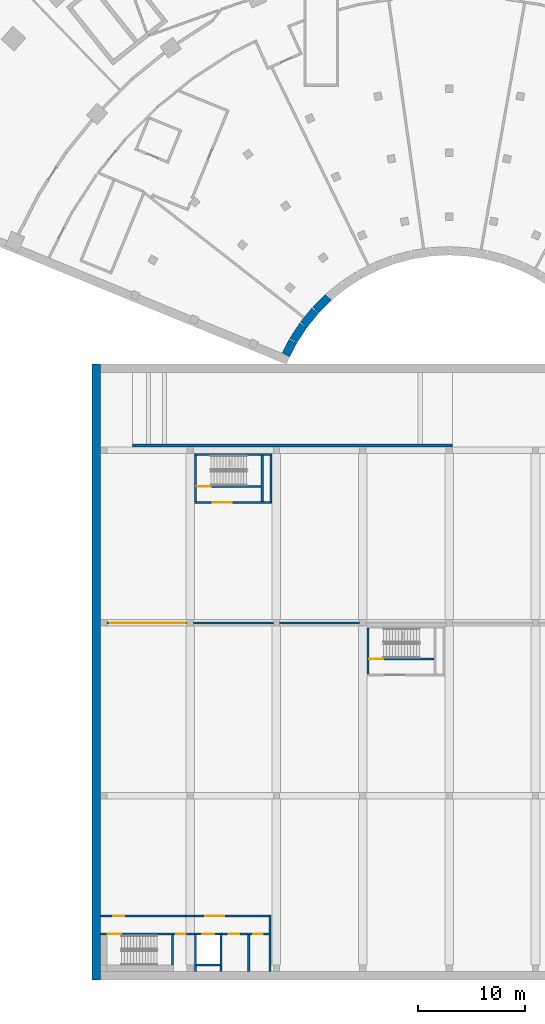
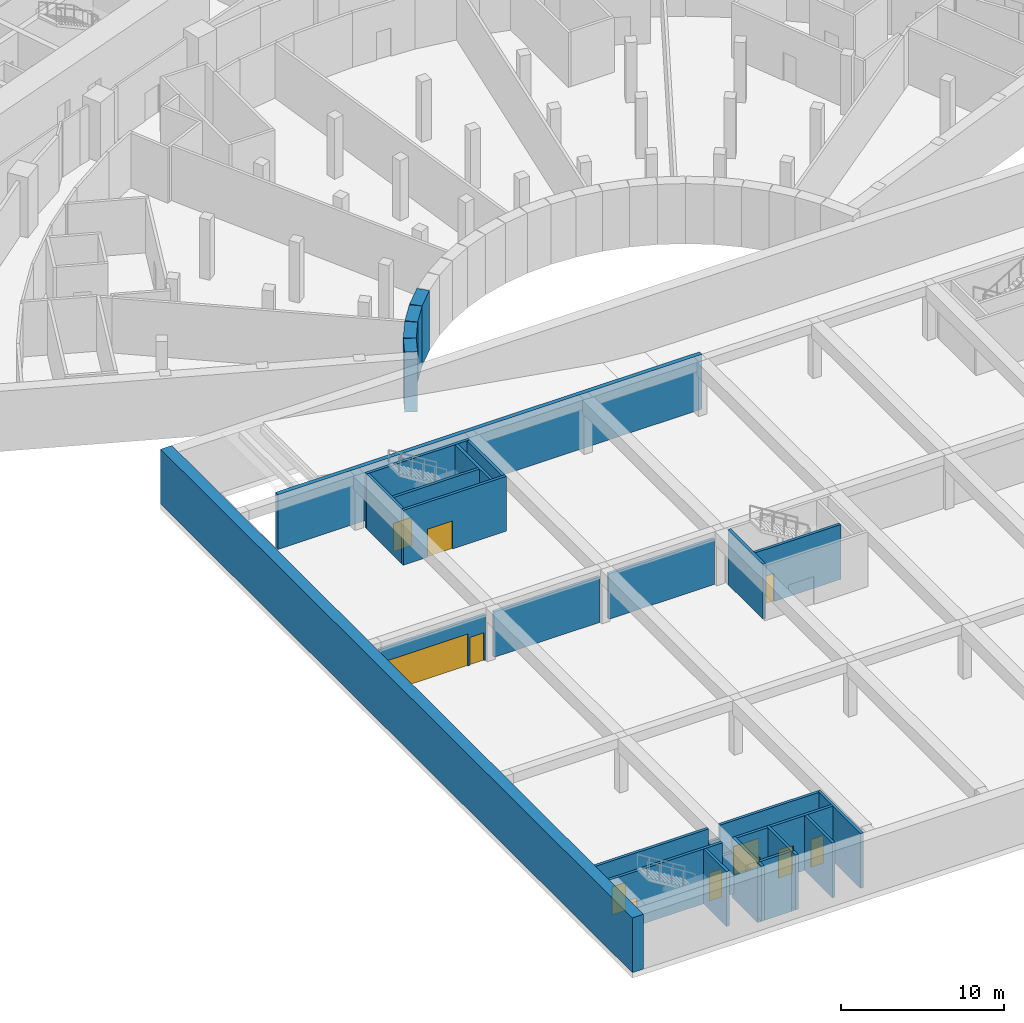
# One storey, part 3 of 21: 32 walls, 12 doors, 12 openings.
"""IFC4 building model written with IfcOpenShell, lengths in metres."""

from ifc_helpers import new_model, si_unit, direction, frame, frame_2d, origin, place, context, subcontext, project, spatial, rectangle, extrude, material, layer, layer_set, type_object, element, fill, save


model = new_model("IFC4")

# Units and contexts
model_context = context("Model", 3, precision=1e-05, world=origin(), true_north=direction((0.0, 1.0)))
body_context = subcontext(model_context, "Body", "Model", "MODEL_VIEW")
ifc_project = project(units=[si_unit("LENGTHUNIT", "METRE"), si_unit("AREAUNIT", "SQUARE_METRE"), si_unit("VOLUMEUNIT", "CUBIC_METRE"), si_unit("PLANEANGLEUNIT", "RADIAN"), si_unit("MASSUNIT", "GRAM", prefix="KILO")], contexts=[model_context])

# Site, building, storey
site_placement = place(None, origin())
site = spatial("IfcSite", under=ifc_project, at=site_placement, CompositionType="ELEMENT")
building_placement = place(site_placement, origin())
building = spatial("IfcBuilding", under=site, at=building_placement, Name="Stone Belt Terrace Tower", CompositionType="ELEMENT")
storey_placement = place(building_placement, frame((0.0, 0.0, -9.0)))
storey = spatial("IfcBuildingStorey", under=building, at=storey_placement, Name="B2", CompositionType="ELEMENT", Elevation=-9.0)

# Walls
ifc_material_1 = material(Name="Concrete B30", Category="concrete")
ifc_layer_1 = layer(ifc_material_1, 0.800048828125)
ifc_layer_set_1 = layer_set([ifc_layer_1], Name="Basement wall 800 B30")
wall_type_1 = type_object("IfcWallType", Name="Basement wall 800 B30", PredefinedType="SHEAR", material=ifc_layer_set_1)
wall_1_placement = place(storey_placement, frame((-15.30029296875, 7.13427734375, 0.0), z_axis=(0.0, 0.0, 1.0), x_axis=(0.450505301603, 0.892773752542, 0.0)))
element("IfcWall", 1, at=wall_1_placement, inside=storey, type_object=wall_type_1, Name="Basement wall B2 1", PredefinedType="SHEAR", context=body_context, shape_type="SweptSolid", body=[
    extrude(rectangle(XDim=1.452392578125, YDim=0.800048828125, at=frame_2d((0.72607421875, 0.0))), origin(), (0.0, 0.0, 1.0), 4.5),
])
wall_2_placement = place(storey_placement, frame((-14.62451171875, 8.468505859375, 0.0), z_axis=(0.0, 0.0, 1.0), x_axis=(0.544739789937, 0.838605128329, 0.0)))
element("IfcWall", 2, at=wall_2_placement, inside=storey, type_object=wall_type_1, Name="Basement wall B2 2", PredefinedType="SHEAR", context=body_context, shape_type="SweptSolid", body=[
    extrude(rectangle(XDim=1.726318359375, YDim=0.800048828125, at=frame_2d((0.86328125, 0.0))), origin(), (0.0, 0.0, 1.0), 4.5),
])
for number, where, z_axis, x_axis, name in (
    (3, (-13.65966796875, 9.9501953125, 0.0), (0.0, 0.0, 1.0), (0.629303947211, 0.777159277127, 0.0), "Basement wall B2 3"),
    (4, (-12.544677734375, 11.323486328125, 0.0), (0.0, 0.0, 1.0), (0.707106781187, 0.707106781187, 0.0), "Basement wall B2 4"),
):
    element("IfcWall", number, at=place(storey_placement, frame(where, z_axis=z_axis, x_axis=x_axis)), inside=storey, type_object=wall_type_1, Name=name, PredefinedType="SHEAR", context=body_context, shape_type="SweptSolid", body=[
        extrude(rectangle(XDim=1.72705078125, YDim=0.800048828125, at=frame_2d((0.863525390625, 0.0))), origin(), (0.0, 0.0, 1.0), 4.5),
    ])
ifc_layer_2 = layer(ifc_material_1, 0.199951171875)
ifc_layer_set_2 = layer_set([ifc_layer_2], Name="Car park core wall 200")
wall_type_2 = type_object("IfcWallType", Name="Car park core wall 200", PredefinedType="SOLIDWALL", material=ifc_layer_set_2)
wall_3_placement = place(storey_placement, frame((-25.93994140625, -50.10009765625, 0.0), z_axis=(0.0, 0.0, 1.0), x_axis=(0.0, 1.0, 0.0)))
element("IfcWall", 5, at=wall_3_placement, inside=storey, type_object=wall_type_2, Name="Car park stair 1 wall", PredefinedType="SOLIDWALL", context=body_context, shape_type="SweptSolid", body=[
    extrude(rectangle(XDim=2.800048828125, YDim=0.199951171875, at=frame_2d((1.39990234375, 0.0))), origin(), (0.0, 0.0, 1.0), 4.10009765625),
])

# Wall, openings, doors
wall_4_placement = place(storey_placement, frame((-32.699951171875, -47.199951171875, 0.0), z_axis=(0.0, 0.0, 1.0), x_axis=(1.0, 0.0, 0.0)))
wall_4 = element("IfcWall", 6, at=wall_4_placement, inside=storey, type_object=wall_type_2, Name="Car park core 1 wall", PredefinedType="SOLIDWALL", context=body_context, shape_type="SweptSolid", body=[
    extrude(rectangle(XDim=8.0, YDim=0.199951171875, at=frame_2d((4.0, 0.0))), origin(), (0.0, 0.0, 1.0), 4.10009765625),
])
opening_1_placement = place(wall_4_placement, frame((0.64990234375, 0.0, 0.0)))
opening_1 = element("IfcOpeningElement", 7, at=opening_1_placement, cuts=wall_4, Name="Opening B2-S05", PredefinedType="OPENING", context=body_context, shape_type="SweptSolid", body=[
    extrude(rectangle(XDim=1.300048828125, YDim=2.10009765625, at=frame_2d((0.64990234375, 1.050048828125))), frame((0.0, 0.10986328125, 0.0), z_axis=(0.0, -1.0, 0.0), x_axis=(1.0, 0.0, 0.0)), (0.0, 0.0, 1.0), 0.219970703125),
])
opening_2_placement = place(wall_4_placement, frame((7.10009765625, 0.0, 0.0)))
opening_2 = element("IfcOpeningElement", 8, at=opening_2_placement, cuts=wall_4, Name="Opening B2-S06", PredefinedType="OPENING", context=body_context, shape_type="SweptSolid", body=[
    extrude(rectangle(XDim=0.89990234375, YDim=2.10009765625, at=frame_2d((0.449951171875, 1.050048828125))), frame((0.0, 0.10986328125, 0.0), z_axis=(0.0, -1.0, 0.0), x_axis=(1.0, 0.0, 0.0)), (0.0, 0.0, 1.0), 0.219970703125),
])
ifc_material_2 = material(Name="Steel door leaf", Category="steel")
door_type_1 = type_object("IfcDoorType", Name="Core door 1300 fire rated", OperationType="NOTDEFINED", PredefinedType="DOOR", material=ifc_material_2)
door_1_placement = place(opening_1_placement, origin())
door_1 = element("IfcDoor", 9, at=door_1_placement, inside=storey, type_object=door_type_1, Name="Stair 1 door", OperationType="SINGLE_SWING_LEFT", OverallHeight=2.10009765625, OverallWidth=1.300048828125, PredefinedType="DOOR", context=body_context, shape_type="SweptSolid", body=[
    extrude(rectangle(XDim=1.300048828125, YDim=2.10009765625, at=frame_2d((0.64990234375, 1.050048828125))), frame((0.0, 0.02490234375, 0.0), z_axis=(0.0, -1.0, 0.0), x_axis=(1.0, 0.0, 0.0)), (0.0, 0.0, 1.0), 0.050048828125),
])
fill(opening_1, door_1)
door_type_2 = type_object("IfcDoorType", Name="Core door 900 fire rated", OperationType="NOTDEFINED", PredefinedType="DOOR", material=ifc_material_2)
door_2_placement = place(opening_2_placement, origin())
door_2 = element("IfcDoor", 10, at=door_2_placement, inside=storey, type_object=door_type_2, Name="Riser room 1 door", OperationType="SINGLE_SWING_RIGHT", OverallHeight=2.10009765625, OverallWidth=0.89990234375, PredefinedType="DOOR", context=body_context, shape_type="SweptSolid", body=[
    extrude(rectangle(XDim=0.89990234375, YDim=2.10009765625, at=frame_2d((0.449951171875, 1.050048828125))), frame((0.0, 0.02490234375, 0.0), z_axis=(0.0, -1.0, 0.0), x_axis=(1.0, 0.0, 0.0)), (0.0, 0.0, 1.0), 0.050048828125),
])
fill(opening_2, door_2)

wall_5_placement = place(storey_placement, frame((-21.300048828125, -47.199951171875, 0.0), z_axis=(0.0, 0.0, 1.0), x_axis=(1.0, 0.0, 0.0)))
wall_5 = element("IfcWall", 11, at=wall_5_placement, inside=storey, type_object=wall_type_2, Name="Car park core 1 wall", PredefinedType="SOLIDWALL", context=body_context, shape_type="SweptSolid", body=[
    extrude(rectangle(XDim=4.400146484375, YDim=0.199951171875, at=frame_2d((2.2001953125, 0.0))), origin(), (0.0, 0.0, 1.0), 4.10009765625),
])
opening_3_placement = place(wall_5_placement, frame((0.60009765625, 0.0, 0.0)))
opening_3 = element("IfcOpeningElement", 12, at=opening_3_placement, cuts=wall_5, Name="Opening B2-S08", PredefinedType="OPENING", context=body_context, shape_type="SweptSolid", body=[
    extrude(rectangle(XDim=1.0, YDim=2.10009765625, at=frame_2d((0.5, 1.050048828125))), frame((0.0, 0.10986328125, 0.0), z_axis=(0.0, -1.0, 0.0), x_axis=(1.0, 0.0, 0.0)), (0.0, 0.0, 1.0), 0.219970703125),
])
opening_4_placement = place(wall_5_placement, frame((2.89990234375, 0.0, 0.0)))
opening_4 = element("IfcOpeningElement", 13, at=opening_4_placement, cuts=wall_5, Name="Opening B2-S09", PredefinedType="OPENING", context=body_context, shape_type="SweptSolid", body=[
    extrude(rectangle(XDim=0.89990234375, YDim=2.10009765625, at=frame_2d((0.449951171875, 1.050048828125))), frame((0.0, 0.10986328125, 0.0), z_axis=(0.0, -1.0, 0.0), x_axis=(1.0, 0.0, 0.0)), (0.0, 0.0, 1.0), 0.219970703125),
])
door_type_3 = type_object("IfcDoorType", Name="Core door 1000 fire rated", OperationType="NOTDEFINED", PredefinedType="DOOR", material=ifc_material_2)
door_3_placement = place(opening_3_placement, origin())
door_3 = element("IfcDoor", 14, at=door_3_placement, inside=storey, type_object=door_type_3, Name="Accessible WC 1 door", OperationType="SINGLE_SWING_LEFT", OverallHeight=2.10009765625, OverallWidth=1.0, PredefinedType="DOOR", context=body_context, shape_type="SweptSolid", body=[
    extrude(rectangle(XDim=1.0, YDim=2.10009765625, at=frame_2d((0.5, 1.050048828125))), frame((0.0, 0.02490234375, 0.0), z_axis=(0.0, -1.0, 0.0), x_axis=(1.0, 0.0, 0.0)), (0.0, 0.0, 1.0), 0.050048828125),
])
fill(opening_3, door_3)
door_4_placement = place(opening_4_placement, origin())
door_4 = element("IfcDoor", 15, at=door_4_placement, inside=storey, type_object=door_type_2, Name="Equipment store 1 door", OperationType="SINGLE_SWING_RIGHT", OverallHeight=2.10009765625, OverallWidth=0.89990234375, PredefinedType="DOOR", context=body_context, shape_type="SweptSolid", body=[
    extrude(rectangle(XDim=0.89990234375, YDim=2.10009765625, at=frame_2d((0.449951171875, 1.050048828125))), frame((0.0, 0.02490234375, 0.0), z_axis=(0.0, -1.0, 0.0), x_axis=(1.0, 0.0, 0.0)), (0.0, 0.0, 1.0), 0.050048828125),
])
fill(opening_4, door_4)

# Walls
for number, where, z_axis, x_axis, name in (
    (16, (-23.800048828125, -50.699951171875, 0.0), (0.0, 0.0, 1.0), (0.0, 1.0, 0.0), "Car park core 1 wall"),
    (17, (-21.39990234375, -50.699951171875, 0.0), (0.0, 0.0, 1.0), (0.0, 1.0, 0.0), "Car park core 1 wall"),
):
    element("IfcWall", number, at=place(storey_placement, frame(where, z_axis=z_axis, x_axis=x_axis)), inside=storey, type_object=wall_type_2, Name=name, PredefinedType="SOLIDWALL", context=body_context, shape_type="SweptSolid", body=[
        extrude(rectangle(XDim=0.5, YDim=0.199951171875, at=frame_2d((0.25, 0.0))), origin(), (0.0, 0.0, 1.0), 4.10009765625),
    ])
wall_6_placement = place(storey_placement, frame((-16.800048828125, -50.699951171875, 0.0), z_axis=(0.0, 0.0, 1.0), x_axis=(0.0, 1.0, 0.0)))
element("IfcWall", 18, at=wall_6_placement, inside=storey, type_object=wall_type_2, Name="Car park core 1 wall", PredefinedType="SOLIDWALL", context=body_context, shape_type="SweptSolid", body=[
    extrude(rectangle(XDim=5.300048828125, YDim=0.199951171875, at=frame_2d((2.64990234375, 0.0))), origin(), (0.0, 0.0, 1.0), 4.10009765625),
])

# Wall, opening, door
wall_7_placement = place(storey_placement, frame((-32.699951171875, -45.5, 0.0), z_axis=(0.0, 0.0, 1.0), x_axis=(1.0, 0.0, 0.0)))
wall_7 = element("IfcWall", 19, at=wall_7_placement, inside=storey, type_object=wall_type_2, Name="Car park core 1 front wall", PredefinedType="SOLIDWALL", context=body_context, shape_type="SweptSolid", body=[
    extrude(rectangle(XDim=8.0, YDim=0.199951171875, at=frame_2d((4.0, 0.0))), origin(), (0.0, 0.0, 1.0), 4.10009765625),
])
opening_5_placement = place(wall_7_placement, frame((1.199951171875, 0.0, 0.0)))
opening_5 = element("IfcOpeningElement", 20, at=opening_5_placement, cuts=wall_7, Name="Opening B2-S11", PredefinedType="OPENING", context=body_context, shape_type="SweptSolid", body=[
    extrude(rectangle(XDim=1.0, YDim=2.10009765625, at=frame_2d((0.5, 1.050048828125))), frame((0.0, 0.10986328125, 0.0), z_axis=(0.0, -1.0, 0.0), x_axis=(1.0, 0.0, 0.0)), (0.0, 0.0, 1.0), 0.219970703125),
])
door_5_placement = place(opening_5_placement, origin())
door_5 = element("IfcDoor", 21, at=door_5_placement, inside=storey, type_object=door_type_3, Name="Car park exit 1 door", OperationType="SINGLE_SWING_RIGHT", OverallHeight=2.10009765625, OverallWidth=1.0, PredefinedType="DOOR", context=body_context, shape_type="SweptSolid", body=[
    extrude(rectangle(XDim=1.0, YDim=2.10009765625, at=frame_2d((0.5, 1.050048828125))), frame((0.0, 0.02490234375, 0.0), z_axis=(0.0, -1.0, 0.0), x_axis=(1.0, 0.0, 0.0)), (0.0, 0.0, 1.0), 0.050048828125),
])
fill(opening_5, door_5)

wall_8_placement = place(storey_placement, frame((-23.89990234375, -45.5, 0.0), z_axis=(0.0, 0.0, 1.0), x_axis=(1.0, 0.0, 0.0)))
wall_8 = element("IfcWall", 22, at=wall_8_placement, inside=storey, type_object=wall_type_2, Name="Car park core 1 front wall", PredefinedType="SOLIDWALL", context=body_context, shape_type="SweptSolid", body=[
    extrude(rectangle(XDim=7.0, YDim=0.199951171875, at=frame_2d((3.5, 0.0))), origin(), (0.0, 0.0, 1.0), 4.10009765625),
])
opening_6_placement = place(wall_8_placement, frame((1.0, 0.0, 0.0)))
opening_6 = element("IfcOpeningElement", 23, at=opening_6_placement, cuts=wall_8, Name="Opening B2-S10", PredefinedType="OPENING", context=body_context, shape_type="SweptSolid", body=[
    extrude(rectangle(XDim=1.800048828125, YDim=2.10009765625, at=frame_2d((0.89990234375, 1.050048828125))), frame((0.0, 0.10986328125, 0.0), z_axis=(0.0, -1.0, 0.0), x_axis=(1.0, 0.0, 0.0)), (0.0, 0.0, 1.0), 0.219970703125),
])
door_type_4 = type_object("IfcDoorType", Name="Core door pair 1800 fire rated", OperationType="DOUBLE_DOOR_DOUBLE_SWING", PredefinedType="DOOR", material=ifc_material_2)
door_6_placement = place(opening_6_placement, origin())
door_6 = element("IfcDoor", 24, at=door_6_placement, inside=storey, type_object=door_type_4, Name="Car park lobby 1 door", OperationType="SINGLE_SWING_LEFT", OverallHeight=2.10009765625, OverallWidth=1.800048828125, PredefinedType="DOOR", context=body_context, shape_type="SweptSolid", body=[
    extrude(rectangle(XDim=1.800048828125, YDim=2.10009765625, at=frame_2d((0.89990234375, 1.050048828125))), frame((0.0, 0.02490234375, 0.0), z_axis=(0.0, -1.0, 0.0), x_axis=(1.0, 0.0, 0.0)), (0.0, 0.0, 1.0), 0.050048828125),
])
fill(opening_6, door_6)

wall_9_placement = place(storey_placement, frame((-23.89990234375, -6.699951171875, 0.0), z_axis=(0.0, 0.0, 1.0), x_axis=(1.0, 0.0, 0.0)))
wall_9 = element("IfcWall", 25, at=wall_9_placement, inside=storey, type_object=wall_type_2, Name="Car park stair 3 front wall", PredefinedType="SOLIDWALL", context=body_context, shape_type="SweptSolid", body=[
    extrude(rectangle(XDim=7.2998046875, YDim=0.199951171875, at=frame_2d((3.64990234375, 0.0))), origin(), (0.0, 0.0, 1.0), 4.10009765625),
])
opening_7_placement = place(wall_9_placement, frame((1.699951171875, 0.0, 0.0)))
opening_7 = element("IfcOpeningElement", 26, at=opening_7_placement, cuts=wall_9, Name="Opening B2-S20", PredefinedType="OPENING", context=body_context, shape_type="SweptSolid", body=[
    extrude(rectangle(XDim=1.800048828125, YDim=2.10009765625, at=frame_2d((0.89990234375, 1.050048828125))), frame((0.0, 0.10986328125, 0.0), z_axis=(0.0, -1.0, 0.0), x_axis=(1.0, 0.0, 0.0)), (0.0, 0.0, 1.0), 0.219970703125),
])
door_7_placement = place(opening_7_placement, origin())
door_7 = element("IfcDoor", 27, at=door_7_placement, inside=storey, type_object=door_type_4, Name="Car park stair 3 vestibule door", OperationType="SINGLE_SWING_LEFT", OverallHeight=2.10009765625, OverallWidth=1.800048828125, PredefinedType="DOOR", context=body_context, shape_type="SweptSolid", body=[
    extrude(rectangle(XDim=1.800048828125, YDim=2.10009765625, at=frame_2d((0.89990234375, 1.050048828125))), frame((0.0, 0.02490234375, 0.0), z_axis=(0.0, -1.0, 0.0), x_axis=(1.0, 0.0, 0.0)), (0.0, 0.0, 1.0), 0.050048828125),
])
fill(opening_7, door_7)

# Walls
for number, where, z_axis, x_axis, name in (
    (28, (-23.800048828125, -6.60009765625, 0.0), (0.0, 0.0, 1.0), (0.0, 1.0, 0.0), "Car park stair 3 wall"),
    (29, (-17.5400390625, -6.60009765625, 0.0), (0.0, 0.0, 1.0), (0.0, 1.0, 0.0), "Car park stair 3 wall"),
):
    element("IfcWall", number, at=place(storey_placement, frame(where, z_axis=z_axis, x_axis=x_axis)), inside=storey, type_object=wall_type_2, Name=name, PredefinedType="SOLIDWALL", context=body_context, shape_type="SweptSolid", body=[
        extrude(rectangle(XDim=4.300048828125, YDim=0.199951171875, at=frame_2d((2.14990234375, 0.0))), origin(), (0.0, 0.0, 1.0), 4.10009765625),
    ])
wall_10_placement = place(storey_placement, frame((-23.89990234375, -2.199951171875, 0.0), z_axis=(0.0, 0.0, 1.0), x_axis=(1.0, 0.0, 0.0)))
element("IfcWall", 30, at=wall_10_placement, inside=storey, type_object=wall_type_2, Name="Car park stair 3 wall", PredefinedType="SOLIDWALL", context=body_context, shape_type="SweptSolid", body=[
    extrude(rectangle(XDim=7.2998046875, YDim=0.199951171875, at=frame_2d((3.64990234375, 0.0))), origin(), (0.0, 0.0, 1.0), 4.10009765625),
])
wall_11_placement = place(storey_placement, frame((-16.699951171875, -6.60009765625, 0.0), z_axis=(0.0, 0.0, 1.0), x_axis=(0.0, 1.0, 0.0)))
element("IfcWall", 31, at=wall_11_placement, inside=storey, type_object=wall_type_2, Name="Car park stair 3 wall", PredefinedType="SOLIDWALL", context=body_context, shape_type="SweptSolid", body=[
    extrude(rectangle(XDim=4.300048828125, YDim=0.199951171875, at=frame_2d((2.14990234375, 0.0))), origin(), (0.0, 0.0, 1.0), 4.10009765625),
])

# Wall, opening, door
wall_12_placement = place(storey_placement, frame((-23.699951171875, -5.199951171875, 0.0), z_axis=(0.0, 0.0, 1.0), x_axis=(1.0, 0.0, 0.0)))
wall_12 = element("IfcWall", 32, at=wall_12_placement, inside=storey, type_object=wall_type_2, Name="Car park stair 3 vestibule wall", PredefinedType="SOLIDWALL", context=body_context, shape_type="SweptSolid", body=[
    extrude(rectangle(XDim=6.06005859375, YDim=0.199951171875, at=frame_2d((3.030029296875, 0.0))), origin(), (0.0, 0.0, 1.0), 4.10009765625),
])
opening_8_placement = place(wall_12_placement, frame((0.02490234375, 0.0, 0.0)))
opening_8 = element("IfcOpeningElement", 33, at=opening_8_placement, cuts=wall_12, Name="Opening B2-S19", PredefinedType="OPENING", context=body_context, shape_type="SweptSolid", body=[
    extrude(rectangle(XDim=1.300048828125, YDim=2.10009765625, at=frame_2d((0.64990234375, 1.050048828125))), frame((0.0, 0.10986328125, 0.0), z_axis=(0.0, -1.0, 0.0), x_axis=(1.0, 0.0, 0.0)), (0.0, 0.0, 1.0), 0.219970703125),
])
door_8_placement = place(opening_8_placement, origin())
door_8 = element("IfcDoor", 34, at=door_8_placement, inside=storey, type_object=door_type_1, Name="Stair 3 door", OperationType="SINGLE_SWING_LEFT", OverallHeight=2.10009765625, OverallWidth=1.300048828125, PredefinedType="DOOR", context=body_context, shape_type="SweptSolid", body=[
    extrude(rectangle(XDim=1.300048828125, YDim=2.10009765625, at=frame_2d((0.64990234375, 1.050048828125))), frame((0.0, 0.02490234375, 0.0), z_axis=(0.0, -1.0, 0.0), x_axis=(1.0, 0.0, 0.0)), (0.0, 0.0, 1.0), 0.050048828125),
])
fill(opening_8, door_8)

# Wall
wall_13_placement = place(storey_placement, frame((-7.60009765625, -22.800048828125, 0.0), z_axis=(0.0, 0.0, 1.0), x_axis=(0.0, 1.0, 0.0)))
element("IfcWall", 35, at=wall_13_placement, inside=storey, type_object=wall_type_2, Name="Car park stair 5 wall", PredefinedType="SOLIDWALL", context=body_context, shape_type="SweptSolid", body=[
    extrude(rectangle(XDim=4.300048828125, YDim=0.199951171875, at=frame_2d((2.14990234375, 0.0))), origin(), (0.0, 0.0, 1.0), 4.10009765625),
])

# Wall, opening, door
wall_14_placement = place(storey_placement, frame((-7.5, -21.39990234375, 0.0), z_axis=(0.0, 0.0, 1.0), x_axis=(1.0, 0.0, 0.0)))
wall_14 = element("IfcWall", 36, at=wall_14_placement, inside=storey, type_object=wall_type_2, Name="Car park stair 5 vestibule wall", PredefinedType="SOLIDWALL", context=body_context, shape_type="SweptSolid", body=[
    extrude(rectangle(XDim=6.06005859375, YDim=0.199951171875, at=frame_2d((3.030029296875, 0.0))), origin(), (0.0, 0.0, 1.0), 4.10009765625),
])
opening_9_placement = place(wall_14_placement, frame((0.02490234375, 0.0, 0.0)))
opening_9 = element("IfcOpeningElement", 37, at=opening_9_placement, cuts=wall_14, Name="Opening B2-S23", PredefinedType="OPENING", context=body_context, shape_type="SweptSolid", body=[
    extrude(rectangle(XDim=1.300048828125, YDim=2.10009765625, at=frame_2d((0.64990234375, 1.050048828125))), frame((0.0, 0.10986328125, 0.0), z_axis=(0.0, -1.0, 0.0), x_axis=(1.0, 0.0, 0.0)), (0.0, 0.0, 1.0), 0.219970703125),
])
door_9_placement = place(opening_9_placement, origin())
door_9 = element("IfcDoor", 38, at=door_9_placement, inside=storey, type_object=door_type_1, Name="Stair 5 door", OperationType="SINGLE_SWING_LEFT", OverallHeight=2.10009765625, OverallWidth=1.300048828125, PredefinedType="DOOR", context=body_context, shape_type="SweptSolid", body=[
    extrude(rectangle(XDim=1.300048828125, YDim=2.10009765625, at=frame_2d((0.64990234375, 1.050048828125))), frame((0.0, 0.02490234375, 0.0), z_axis=(0.0, -1.0, 0.0), x_axis=(1.0, 0.0, 0.0)), (0.0, 0.0, 1.0), 0.050048828125),
])
fill(opening_9, door_9)

# Walls
ifc_layer_3 = layer(ifc_material_1, 0.199951171875)
ifc_layer_set_3 = layer_set([ifc_layer_3], Name="Car park core wall 200 variant A")
wall_type_3 = type_object("IfcWallType", Name="Car park core wall 200 variant A", PredefinedType="SOLIDWALL", material=ifc_layer_set_3)
for number, where, z_axis, x_axis, name in (
    (39, (-24.699951171875, -47.199951171875, 0.0), (0.0, 0.0, 1.0), (1.0, 0.0, 0.0), "Car park core 1 wall"),
    (40, (-24.699951171875, -45.5, 0.0), (0.0, 0.0, 1.0), (1.0, 0.0, 0.0), "Car park core 1 front wall"),
):
    element("IfcWall", number, at=place(storey_placement, frame(where, z_axis=z_axis, x_axis=x_axis)), inside=storey, type_object=wall_type_3, Name=name, PredefinedType="SOLIDWALL", context=body_context, shape_type="SweptSolid", body=[
        extrude(rectangle(XDim=0.800048828125, YDim=0.199951171875, at=frame_2d((0.39990234375, 0.0))), origin(), (0.0, 0.0, 1.0), 3.10009765625),
    ])

# Wall, opening, door
ifc_layer_4 = layer(ifc_material_1, 0.199951171875)
ifc_layer_set_4 = layer_set([ifc_layer_4], Name="Car park core wall 200 variant C")
wall_type_4 = type_object("IfcWallType", Name="Car park core wall 200 variant C", PredefinedType="SOLIDWALL", material=ifc_layer_set_4)
wall_15_placement = place(storey_placement, frame((-23.699951171875, -47.199951171875, -0.39990234375), z_axis=(0.0, 0.0, 1.0), x_axis=(1.0, 0.0, 0.0)))
wall_15 = element("IfcWall", 41, at=wall_15_placement, inside=storey, type_object=wall_type_4, Name="Car park lift 1 shaft wall", PredefinedType="SOLIDWALL", context=body_context, shape_type="SweptSolid", body=[
    extrude(rectangle(XDim=2.199951171875, YDim=0.199951171875, at=frame_2d((1.10009765625, 0.0))), origin(), (0.0, 0.0, 1.0), 4.5),
])
opening_10_placement = place(wall_15_placement, frame((0.550048828125, 0.0, 0.39990234375)))
opening_10 = element("IfcOpeningElement", 42, at=opening_10_placement, cuts=wall_15, Name="Opening B2-S07", PredefinedType="OPENING", context=body_context, shape_type="SweptSolid", body=[
    extrude(rectangle(XDim=1.10009765625, YDim=2.10009765625, at=frame_2d((0.550048828125, 1.050048828125))), frame((0.0, 0.10986328125, 0.0), z_axis=(0.0, -1.0, 0.0), x_axis=(1.0, 0.0, 0.0)), (0.0, 0.0, 1.0), 0.219970703125),
])
ifc_material_3 = material(Name="Stainless steel", Category="steel")
door_type_5 = type_object("IfcDoorType", Name="Lift landing door 1100", OperationType="SLIDING_TO_LEFT", PredefinedType="DOOR", material=ifc_material_3)
door_10_placement = place(opening_10_placement, origin())
door_10 = element("IfcDoor", 43, at=door_10_placement, inside=storey, type_object=door_type_5, Name="Lift 1 landing door", OperationType="SLIDING_TO_LEFT", OverallHeight=2.10009765625, OverallWidth=1.10009765625, PredefinedType="DOOR", context=body_context, shape_type="SweptSolid", body=[
    extrude(rectangle(XDim=1.10009765625, YDim=2.10009765625, at=frame_2d((0.550048828125, 1.050048828125))), frame((0.0, 0.02490234375, 0.0), z_axis=(0.0, -1.0, 0.0), x_axis=(1.0, 0.0, 0.0)), (0.0, 0.0, 1.0), 0.050048828125),
])
fill(opening_10, door_10)

# Walls
for number, where, z_axis, x_axis, name in (
    (44, (-23.800048828125, -50.199951171875, -0.39990234375), (0.0, 0.0, 1.0), (0.0, 1.0, 0.0), "Car park lift 1 shaft wall"),
    (45, (-21.39990234375, -50.199951171875, -0.39990234375), (0.0, 0.0, 1.0), (0.0, 1.0, 0.0), "Car park lift 1 shaft wall"),
):
    element("IfcWall", number, at=place(storey_placement, frame(where, z_axis=z_axis, x_axis=x_axis)), inside=storey, type_object=wall_type_4, Name=name, PredefinedType="SOLIDWALL", context=body_context, shape_type="SweptSolid", body=[
        extrude(rectangle(XDim=3.099853515625, YDim=0.199951171875, at=frame_2d((1.5498046875, 0.0))), origin(), (0.0, 0.0, 1.0), 4.5),
    ])
wall_16_placement = place(storey_placement, frame((-23.699951171875, -50.10009765625, -0.39990234375), z_axis=(0.0, 0.0, 1.0), x_axis=(1.0, 0.0, 0.0)))
element("IfcWall", 46, at=wall_16_placement, inside=storey, type_object=wall_type_4, Name="Car park lift 1 shaft wall", PredefinedType="SOLIDWALL", context=body_context, shape_type="SweptSolid", body=[
    extrude(rectangle(XDim=2.199951171875, YDim=0.199951171875, at=frame_2d((1.10009765625, 0.0))), origin(), (0.0, 0.0, 1.0), 4.5),
])
ifc_material_4 = material(Name="Blockwork", Category="masonry")
ifc_layer_5 = layer(ifc_material_4, 0.199951171875)
ifc_layer_set_5 = layer_set([ifc_layer_5], Name="Car park partition 200")
wall_type_5 = type_object("IfcWallType", Name="Car park partition 200", PredefinedType="PARTITIONING", material=ifc_layer_set_5)
wall_17_placement = place(storey_placement, frame((-18.800048828125, -50.699951171875, 0.0), z_axis=(0.0, 0.0, 1.0), x_axis=(0.0, 1.0, 0.0)))
element("IfcWall", 47, at=wall_17_placement, inside=storey, type_object=wall_type_5, Name="Car park core 1 partition", PredefinedType="PARTITIONING", context=body_context, shape_type="SweptSolid", body=[
    extrude(rectangle(XDim=3.39990234375, YDim=0.199951171875, at=frame_2d((1.699951171875, 0.0))), origin(), (0.0, 0.0, 1.0), 4.10009765625),
])
ifc_layer_6 = layer(ifc_material_1, 0.300048828125)
ifc_layer_set_6 = layer_set([ifc_layer_6], Name="Car park ramp wall 300")
wall_type_6 = type_object("IfcWallType", Name="Car park ramp wall 300", PredefinedType="SOLIDWALL", material=ifc_layer_set_6)
wall_18_placement = place(storey_placement, frame((-29.699951171875, -1.35009765625, 0.0), z_axis=(0.0, 0.0, 1.0), x_axis=(1.0, 0.0, 0.0)))
element("IfcWall", 48, at=wall_18_placement, inside=storey, type_object=wall_type_6, Name="Car park ramp wall", PredefinedType="SOLIDWALL", context=body_context, shape_type="SweptSolid", body=[
    extrude(rectangle(XDim=30.0, YDim=0.300048828125, at=frame_2d((15.0, 0.0))), origin(), (0.0, 0.0, 1.0), 4.10009765625),
])
ifc_layer_7 = layer(ifc_material_1, 0.800048828125)
ifc_layer_set_7 = layer_set([ifc_layer_7], Name="Car park retaining wall 800")
wall_type_7 = type_object("IfcWallType", Name="Car park retaining wall 800", PredefinedType="SOLIDWALL", material=ifc_layer_set_7)
wall_19_placement = place(storey_placement, frame((-33.10009765625, -51.5, 0.0), z_axis=(0.0, 0.0, 1.0), x_axis=(0.0, 1.0, 0.0)))
element("IfcWall", 49, at=wall_19_placement, inside=storey, type_object=wall_type_7, Name="Car park retaining wall west", PredefinedType="SOLIDWALL", context=body_context, shape_type="SweptSolid", body=[
    extrude(rectangle(XDim=57.800048828125, YDim=0.800048828125, at=frame_2d((28.89990234375, 0.0))), origin(), (0.0, 0.0, 1.0), 4.10009765625),
])

# Wall, openings, doors
ifc_layer_8 = layer(ifc_material_1, 0.199951171875)
ifc_layer_set_8 = layer_set([ifc_layer_8], Name="Compartment wall 200")
wall_type_8 = type_object("IfcWallType", Name="Compartment wall 200", PredefinedType="SOLIDWALL", material=ifc_layer_set_8)
wall_20_placement = place(storey_placement, frame((-32.10009765625, -18.0, 0.0), z_axis=(0.0, 0.0, 1.0), x_axis=(1.0, 0.0, 0.0)))
wall_20 = element("IfcWall", 50, at=wall_20_placement, inside=storey, type_object=wall_type_8, Name="Compartment wall B2 1", PredefinedType="SOLIDWALL", context=body_context, shape_type="SweptSolid", body=[
    extrude(rectangle(XDim=7.5, YDim=0.199951171875, at=frame_2d((3.75, 0.0))), origin(), (0.0, 0.0, 1.0), 3.39990234375),
])
opening_11_placement = place(wall_20_placement, frame((0.25, 0.0, 0.0)))
opening_11 = element("IfcOpeningElement", 51, at=opening_11_placement, cuts=wall_20, Name="Opening B2-S01", PredefinedType="OPENING", context=body_context, shape_type="SweptSolid", body=[
    extrude(rectangle(XDim=6.0, YDim=2.39990234375, at=frame_2d((3.0, 1.199951171875))), frame((0.0, 0.10986328125, 0.0), z_axis=(0.0, -1.0, 0.0), x_axis=(1.0, 0.0, 0.0)), (0.0, 0.0, 1.0), 0.219970703125),
])
opening_12_placement = place(wall_20_placement, frame((6.39990234375, 0.0, 0.0)))
opening_12 = element("IfcOpeningElement", 52, at=opening_12_placement, cuts=wall_20, Name="Opening B2-S02", PredefinedType="OPENING", context=body_context, shape_type="SweptSolid", body=[
    extrude(rectangle(XDim=1.0, YDim=2.10009765625, at=frame_2d((0.5, 1.050048828125))), frame((0.0, 0.10986328125, 0.0), z_axis=(0.0, -1.0, 0.0), x_axis=(1.0, 0.0, 0.0)), (0.0, 0.0, 1.0), 0.219970703125),
])
door_type_6 = type_object("IfcDoorType", Name="Compartment fire door 1000", OperationType="NOTDEFINED", PredefinedType="DOOR", material=ifc_material_2)
door_11_placement = place(opening_12_placement, origin())
door_11 = element("IfcDoor", 53, at=door_11_placement, inside=storey, type_object=door_type_6, Name="Compartment fire door B2 west", OperationType="SINGLE_SWING_LEFT", OverallHeight=2.10009765625, OverallWidth=1.0, PredefinedType="DOOR", context=body_context, shape_type="SweptSolid", body=[
    extrude(rectangle(XDim=1.0, YDim=2.10009765625, at=frame_2d((0.5, 1.050048828125))), frame((0.0, 0.02490234375, 0.0), z_axis=(0.0, -1.0, 0.0), x_axis=(1.0, 0.0, 0.0)), (0.0, 0.0, 1.0), 0.050048828125),
])
fill(opening_12, door_11)
ifc_material_5 = material(Name="Steel fire shutter", Category="steel")
door_type_7 = type_object("IfcDoorType", Name="Compartment shutter 6000", OperationType="ROLLINGUP", PredefinedType="DOOR", material=ifc_material_5)
door_12_placement = place(opening_11_placement, origin())
door_12 = element("IfcDoor", 54, at=door_12_placement, inside=storey, type_object=door_type_7, Name="Compartment shutter B2 west", OperationType="ROLLINGUP", OverallHeight=2.39990234375, OverallWidth=6.0, PredefinedType="DOOR", context=body_context, shape_type="SweptSolid", body=[
    extrude(rectangle(XDim=6.0, YDim=2.39990234375, at=frame_2d((3.0, 1.199951171875))), frame((0.0, 0.02490234375, 0.0), z_axis=(0.0, -1.0, 0.0), x_axis=(1.0, 0.0, 0.0)), (0.0, 0.0, 1.0), 0.050048828125),
])
fill(opening_11, door_12)

# Walls
for number, where, z_axis, x_axis, name in (
    (55, (-24.0, -18.0, 0.0), (0.0, 0.0, 1.0), (1.0, 0.0, 0.0), "Compartment wall B2 2"),
    (56, (-15.89990234375, -18.0, 0.0), (0.0, 0.0, 1.0), (1.0, 0.0, 0.0), "Compartment wall B2 3"),
):
    element("IfcWall", number, at=place(storey_placement, frame(where, z_axis=z_axis, x_axis=x_axis)), inside=storey, type_object=wall_type_8, Name=name, PredefinedType="SOLIDWALL", context=body_context, shape_type="SweptSolid", body=[
        extrude(rectangle(XDim=7.5, YDim=0.199951171875, at=frame_2d((3.75, 0.0))), origin(), (0.0, 0.0, 1.0), 3.39990234375),
    ])

save(model, "model.ifc")
